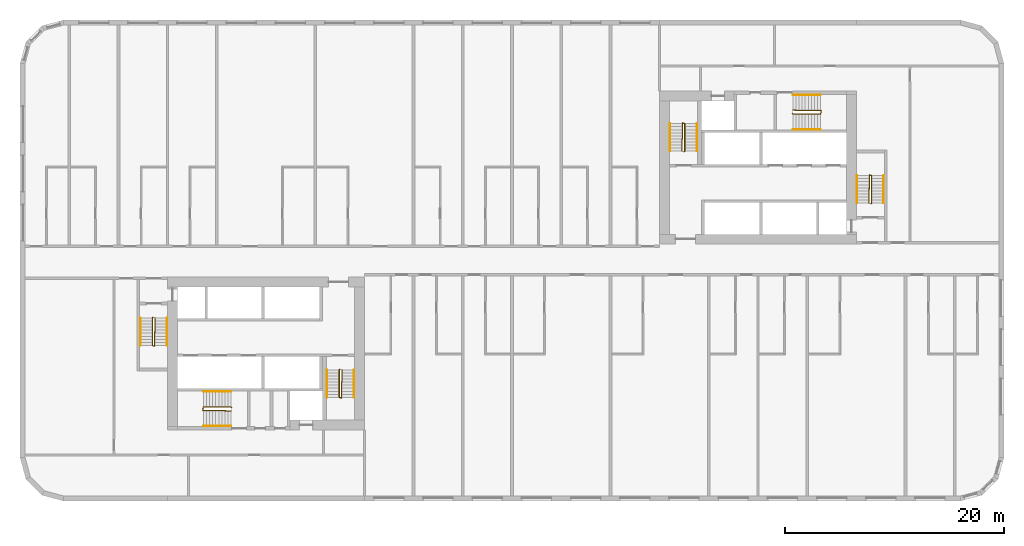
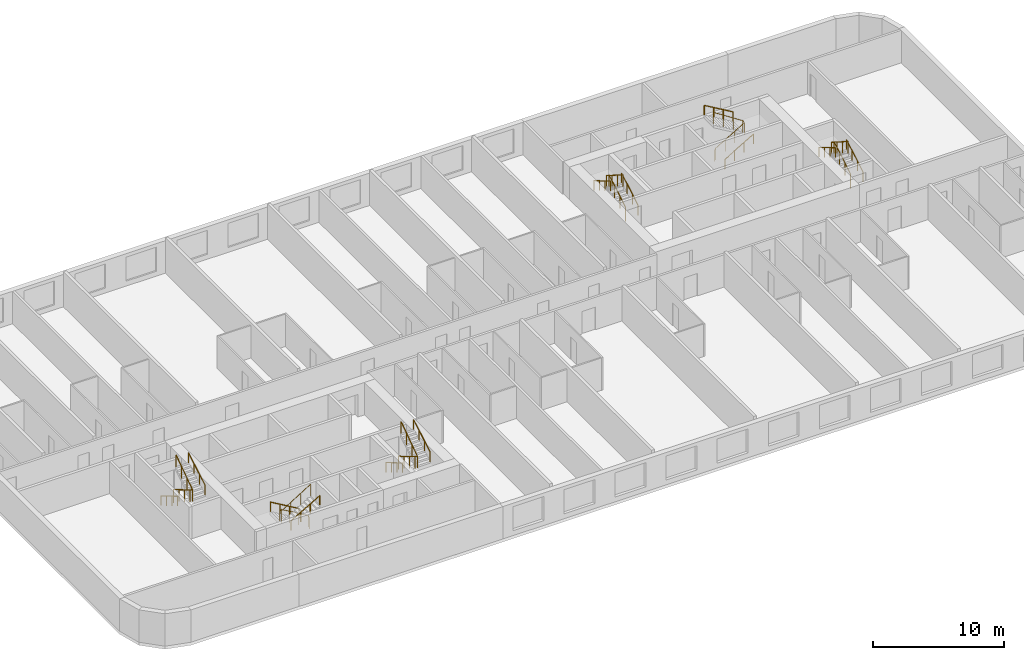
# One storey, part 12 of 12: 18 railings.
"""IFC4 building model written with IfcOpenShell, lengths in metres."""

from ifc_helpers import new_model, si_unit, direction, frame, origin, origin_2d, place, context, subcontext, project, spatial, circle, extrude, material, type_object, element, save


model = new_model("IFC4")

# Units and contexts
model_context = context("Model", 3, precision=1e-05, world=origin(), true_north=direction((0.0, 1.0)))
body_context = subcontext(model_context, "Body", "Model", "MODEL_VIEW")
ifc_project = project(units=[si_unit("LENGTHUNIT", "METRE"), si_unit("AREAUNIT", "SQUARE_METRE"), si_unit("VOLUMEUNIT", "CUBIC_METRE"), si_unit("PLANEANGLEUNIT", "RADIAN"), si_unit("MASSUNIT", "GRAM", prefix="KILO")], contexts=[model_context])

# Site, building, storey
site_placement = place(None, origin())
site = spatial("IfcSite", under=ifc_project, at=site_placement, CompositionType="ELEMENT")
building_placement = place(site_placement, origin())
building = spatial("IfcBuilding", under=site, at=building_placement, Name="Kajstack Hotel Tower", CompositionType="ELEMENT")
storey_placement = place(building_placement, frame((0.0, 0.0, 73.199951171875)))
storey = spatial("IfcBuildingStorey", under=building, at=storey_placement, Name="L13", CompositionType="ELEMENT", Elevation=73.199951171875)

# Railings
ifc_material = material(Name="Steel S355J2", Category="steel")
railing_type_1 = type_object("IfcRailingType", Name="Stair guard 1100", PredefinedType="GUARDRAIL", material=ifc_material)
railing_1_placement = place(storey_placement, frame((-32.85009765625, -5.199951171875, 0.0)))
element("IfcRailing", 1, at=railing_1_placement, inside=storey, type_object=railing_type_1, Name="L13 W1 stair guard 1", PredefinedType="GUARDRAIL", context=body_context, shape_type="SweptSolid", body=[
    extrude(circle(Radius=0.02392578125, at=origin_2d()), frame((0.0, 0.0, 1.076171875), z_axis=(-0.277450376394, -0.278810427259, 0.919394384522), x_axis=(0.708833529934, -0.705375805398, 0.0)), (0.0, 0.0, 1.0), 0.179443359375),
    extrude(circle(Radius=0.02392578125, at=origin_2d()), frame((-0.0498046875, -0.050048828125, 1.2412109375), z_axis=(0.0, -0.86152411907, 0.507716645641), x_axis=(1.0, 0.0, 0.0)), (0.0, 0.0, 1.0), 2.925048828125),
    extrude(circle(Radius=0.02392578125, at=origin_2d()), frame((-0.0498046875, -2.570068359375, 2.72607421875), z_axis=(0.970072785993, -0.242814311512, 0.0), x_axis=(0.242814311512, 0.970072785993, 0.0)), (0.0, 0.0, 1.0), 0.2060546875),
    extrude(circle(Radius=0.02392578125, at=origin_2d()), frame((0.150146484375, -2.6201171875, 2.72607421875), z_axis=(0.016385308676, 0.841405582595, 0.540155687962), x_axis=(-0.999810440751, 0.019470042781, 0.0)), (0.0, 0.0, 1.0), 3.054443359375),
    extrude(circle(Radius=0.02099609375, at=origin_2d()), origin(), (0.0, 0.0, 1.0), 1.052001953125),
    extrude(circle(Radius=0.02099609375, at=origin_2d()), frame((-0.0498046875, -0.050048828125, 0.1650390625)), (0.0, 0.0, 1.0), 1.052001953125),
    extrude(circle(Radius=0.02099609375, at=origin_2d()), frame((-0.0498046875, -0.89013671875, 0.66015625)), (0.0, 0.0, 1.0), 1.052001953125),
    extrude(circle(Radius=0.02099609375, at=origin_2d()), frame((-0.0498046875, -1.72998046875, 1.155029296875)), (0.0, 0.0, 1.0), 1.052001953125),
    extrude(circle(Radius=0.02099609375, at=origin_2d()), frame((-0.0498046875, -2.570068359375, 1.650146484375)), (0.0, 0.0, 1.0), 1.052001953125),
    extrude(circle(Radius=0.02099609375, at=origin_2d()), frame((0.150146484375, -2.6201171875, 1.650146484375)), (0.0, 0.0, 1.0), 1.052001953125),
    extrude(circle(Radius=0.02099609375, at=origin_2d()), frame((0.166748046875, -1.763427734375, 2.2001953125)), (0.0, 0.0, 1.0), 1.052001953125),
    extrude(circle(Radius=0.02099609375, at=origin_2d()), frame((0.18359375, -0.90673828125, 2.75)), (0.0, 0.0, 1.0), 1.052001953125),
    extrude(circle(Radius=0.02099609375, at=origin_2d()), frame((0.2001953125, -0.050048828125, 3.300048828125)), (0.0, 0.0, 1.0), 1.052001953125),
])
railing_2_placement = place(storey_placement, frame((-15.75, -9.949951171875, 0.0)))
element("IfcRailing", 2, at=railing_2_placement, inside=storey, type_object=railing_type_1, Name="L13 W2 stair guard 1", PredefinedType="GUARDRAIL", context=body_context, shape_type="SweptSolid", body=[
    extrude(circle(Radius=0.02392578125, at=origin_2d()), frame((0.0, 0.0, 1.076171875), z_axis=(-0.278705021027, -0.278705021027, 0.919046801044), x_axis=(0.707106781187, -0.707106781187, 0.0)), (0.0, 0.0, 1.0), 0.1796875),
    extrude(circle(Radius=0.02392578125, at=origin_2d()), frame((-0.050048828125, -0.050048828125, 1.2412109375), z_axis=(0.0, -0.86152411907, 0.507716645641), x_axis=(1.0, 0.0, 0.0)), (0.0, 0.0, 1.0), 2.925048828125),
    extrude(circle(Radius=0.02392578125, at=origin_2d()), frame((-0.050048828125, -2.570068359375, 2.72607421875), z_axis=(0.970072785993, -0.242814311512, 0.0), x_axis=(0.242814311512, 0.970072785993, 0.0)), (0.0, 0.0, 1.0), 0.2060546875),
    extrude(circle(Radius=0.02392578125, at=origin_2d()), frame((0.14990234375, -2.6201171875, 2.72607421875), z_axis=(0.016385308676, 0.841405582595, 0.540155687962), x_axis=(-0.999810440751, 0.019470042781, 0.0)), (0.0, 0.0, 1.0), 3.054443359375),
    extrude(circle(Radius=0.02099609375, at=origin_2d()), origin(), (0.0, 0.0, 1.0), 1.052001953125),
    extrude(circle(Radius=0.02099609375, at=origin_2d()), frame((-0.050048828125, -0.050048828125, 0.1650390625)), (0.0, 0.0, 1.0), 1.052001953125),
    extrude(circle(Radius=0.02099609375, at=origin_2d()), frame((-0.050048828125, -0.89013671875, 0.66015625)), (0.0, 0.0, 1.0), 1.052001953125),
    extrude(circle(Radius=0.02099609375, at=origin_2d()), frame((-0.050048828125, -1.72998046875, 1.155029296875)), (0.0, 0.0, 1.0), 1.052001953125),
    extrude(circle(Radius=0.02099609375, at=origin_2d()), frame((-0.050048828125, -2.570068359375, 1.650146484375)), (0.0, 0.0, 1.0), 1.052001953125),
    extrude(circle(Radius=0.02099609375, at=origin_2d()), frame((0.14990234375, -2.6201171875, 1.650146484375)), (0.0, 0.0, 1.0), 1.052001953125),
    extrude(circle(Radius=0.02099609375, at=origin_2d()), frame((0.16650390625, -1.763427734375, 2.2001953125)), (0.0, 0.0, 1.0), 1.052001953125),
    extrude(circle(Radius=0.02099609375, at=origin_2d()), frame((0.183349609375, -0.90673828125, 2.75)), (0.0, 0.0, 1.0), 1.052001953125),
    extrude(circle(Radius=0.02099609375, at=origin_2d()), frame((0.199951171875, -0.050048828125, 3.300048828125)), (0.0, 0.0, 1.0), 1.052001953125),
])
railing_3_placement = place(storey_placement, frame((-25.64990234375, -13.449951171875, 0.0)))
element("IfcRailing", 3, at=railing_3_placement, inside=storey, type_object=railing_type_1, Name="L13 W3 stair guard 1", PredefinedType="GUARDRAIL", context=body_context, shape_type="SweptSolid", body=[
    extrude(circle(Radius=0.02392578125, at=origin_2d()), frame((0.0, 0.0, 1.076171875), z_axis=(-0.278705021027, 0.278705021027, 0.919046801044), x_axis=(-0.707106781187, -0.707106781187, 0.0)), (0.0, 0.0, 1.0), 0.1796875),
    extrude(circle(Radius=0.02392578125, at=origin_2d()), frame((-0.050048828125, 0.050048828125, 1.2412109375), z_axis=(-0.86152411907, 0.0, 0.507716645641), x_axis=(0.0, -1.0, 0.0)), (0.0, 0.0, 1.0), 2.925048828125),
    extrude(circle(Radius=0.02392578125, at=origin_2d()), frame((-2.570068359375, 0.050048828125, 2.72607421875), z_axis=(-0.164529134168, -0.986372223864, 0.0), x_axis=(0.986372223864, -0.164529134168, 0.0)), (0.0, 0.0, 1.0), 0.30419921875),
    extrude(circle(Radius=0.02392578125, at=origin_2d()), frame((-2.6201171875, -0.25, 2.72607421875), z_axis=(0.841405582595, -0.016385308676, 0.540155687962), x_axis=(0.019470042781, 0.999810440751, 0.0)), (0.0, 0.0, 1.0), 3.054443359375),
    extrude(circle(Radius=0.02099609375, at=origin_2d()), origin(), (0.0, 0.0, 1.0), 1.052001953125),
    extrude(circle(Radius=0.02099609375, at=origin_2d()), frame((-0.050048828125, 0.050048828125, 0.1650390625)), (0.0, 0.0, 1.0), 1.052001953125),
    extrude(circle(Radius=0.02099609375, at=origin_2d()), frame((-0.89013671875, 0.050048828125, 0.66015625)), (0.0, 0.0, 1.0), 1.052001953125),
    extrude(circle(Radius=0.02099609375, at=origin_2d()), frame((-1.72998046875, 0.050048828125, 1.155029296875)), (0.0, 0.0, 1.0), 1.052001953125),
    extrude(circle(Radius=0.02099609375, at=origin_2d()), frame((-2.570068359375, 0.050048828125, 1.650146484375)), (0.0, 0.0, 1.0), 1.052001953125),
    extrude(circle(Radius=0.02099609375, at=origin_2d()), frame((-2.6201171875, -0.25, 1.650146484375)), (0.0, 0.0, 1.0), 1.052001953125),
    extrude(circle(Radius=0.02099609375, at=origin_2d()), frame((-1.763427734375, -0.2666015625, 2.2001953125)), (0.0, 0.0, 1.0), 1.052001953125),
    extrude(circle(Radius=0.02099609375, at=origin_2d()), frame((-0.90673828125, -0.283447265625, 2.75)), (0.0, 0.0, 1.0), 1.052001953125),
    extrude(circle(Radius=0.02099609375, at=origin_2d()), frame((-0.050048828125, -0.300048828125, 3.300048828125)), (0.0, 0.0, 1.0), 1.052001953125),
])
railing_4_placement = place(storey_placement, frame((32.85009765625, 5.199951171875, 0.0)))
element("IfcRailing", 4, at=railing_4_placement, inside=storey, type_object=railing_type_1, Name="L13 E1 stair guard 1", PredefinedType="GUARDRAIL", context=body_context, shape_type="SweptSolid", body=[
    extrude(circle(Radius=0.02392578125, at=origin_2d()), frame((0.0, 0.0, 1.076171875), z_axis=(0.277450376394, 0.278810427259, 0.919394384522), x_axis=(-0.708833529934, 0.705375805398, 0.0)), (0.0, 0.0, 1.0), 0.179443359375),
    extrude(circle(Radius=0.02392578125, at=origin_2d()), frame((0.0498046875, 0.050048828125, 1.2412109375), z_axis=(0.0, 0.86152411907, 0.507716645641), x_axis=(-1.0, 0.0, 0.0)), (0.0, 0.0, 1.0), 2.925048828125),
    extrude(circle(Radius=0.02392578125, at=origin_2d()), frame((0.0498046875, 2.570068359375, 2.72607421875), z_axis=(-0.970072785993, 0.242814311512, 0.0), x_axis=(-0.242814311512, -0.970072785993, 0.0)), (0.0, 0.0, 1.0), 0.2060546875),
    extrude(circle(Radius=0.02392578125, at=origin_2d()), frame((-0.150146484375, 2.6201171875, 2.72607421875), z_axis=(-0.016385308676, -0.841405582595, 0.540155687962), x_axis=(0.999810440751, -0.019470042781, 0.0)), (0.0, 0.0, 1.0), 3.054443359375),
    extrude(circle(Radius=0.02099609375, at=origin_2d()), origin(), (0.0, 0.0, 1.0), 1.052001953125),
    extrude(circle(Radius=0.02099609375, at=origin_2d()), frame((0.0498046875, 0.050048828125, 0.1650390625)), (0.0, 0.0, 1.0), 1.052001953125),
    extrude(circle(Radius=0.02099609375, at=origin_2d()), frame((0.0498046875, 0.89013671875, 0.66015625)), (0.0, 0.0, 1.0), 1.052001953125),
    extrude(circle(Radius=0.02099609375, at=origin_2d()), frame((0.0498046875, 1.72998046875, 1.155029296875)), (0.0, 0.0, 1.0), 1.052001953125),
    extrude(circle(Radius=0.02099609375, at=origin_2d()), frame((0.0498046875, 2.570068359375, 1.650146484375)), (0.0, 0.0, 1.0), 1.052001953125),
    extrude(circle(Radius=0.02099609375, at=origin_2d()), frame((-0.150146484375, 2.6201171875, 1.650146484375)), (0.0, 0.0, 1.0), 1.052001953125),
    extrude(circle(Radius=0.02099609375, at=origin_2d()), frame((-0.166748046875, 1.763427734375, 2.2001953125)), (0.0, 0.0, 1.0), 1.052001953125),
    extrude(circle(Radius=0.02099609375, at=origin_2d()), frame((-0.18359375, 0.90673828125, 2.75)), (0.0, 0.0, 1.0), 1.052001953125),
    extrude(circle(Radius=0.02099609375, at=origin_2d()), frame((-0.2001953125, 0.050048828125, 3.300048828125)), (0.0, 0.0, 1.0), 1.052001953125),
])
railing_5_placement = place(storey_placement, frame((15.75, 9.949951171875, 0.0)))
element("IfcRailing", 5, at=railing_5_placement, inside=storey, type_object=railing_type_1, Name="L13 E2 stair guard 1", PredefinedType="GUARDRAIL", context=body_context, shape_type="SweptSolid", body=[
    extrude(circle(Radius=0.02392578125, at=origin_2d()), frame((0.0, 0.0, 1.076171875), z_axis=(0.278705021027, 0.278705021027, 0.919046801044), x_axis=(-0.707106781187, 0.707106781187, 0.0)), (0.0, 0.0, 1.0), 0.1796875),
    extrude(circle(Radius=0.02392578125, at=origin_2d()), frame((0.050048828125, 0.050048828125, 1.2412109375), z_axis=(0.0, 0.86152411907, 0.507716645641), x_axis=(-1.0, 0.0, 0.0)), (0.0, 0.0, 1.0), 2.925048828125),
    extrude(circle(Radius=0.02392578125, at=origin_2d()), frame((0.050048828125, 2.570068359375, 2.72607421875), z_axis=(-0.970072785993, 0.242814311512, 0.0), x_axis=(-0.242814311512, -0.970072785993, 0.0)), (0.0, 0.0, 1.0), 0.2060546875),
    extrude(circle(Radius=0.02392578125, at=origin_2d()), frame((-0.14990234375, 2.6201171875, 2.72607421875), z_axis=(-0.016385308676, -0.841405582595, 0.540155687962), x_axis=(0.999810440751, -0.019470042781, 0.0)), (0.0, 0.0, 1.0), 3.054443359375),
    extrude(circle(Radius=0.02099609375, at=origin_2d()), origin(), (0.0, 0.0, 1.0), 1.052001953125),
    extrude(circle(Radius=0.02099609375, at=origin_2d()), frame((0.050048828125, 0.050048828125, 0.1650390625)), (0.0, 0.0, 1.0), 1.052001953125),
    extrude(circle(Radius=0.02099609375, at=origin_2d()), frame((0.050048828125, 0.89013671875, 0.66015625)), (0.0, 0.0, 1.0), 1.052001953125),
    extrude(circle(Radius=0.02099609375, at=origin_2d()), frame((0.050048828125, 1.72998046875, 1.155029296875)), (0.0, 0.0, 1.0), 1.052001953125),
    extrude(circle(Radius=0.02099609375, at=origin_2d()), frame((0.050048828125, 2.570068359375, 1.650146484375)), (0.0, 0.0, 1.0), 1.052001953125),
    extrude(circle(Radius=0.02099609375, at=origin_2d()), frame((-0.14990234375, 2.6201171875, 1.650146484375)), (0.0, 0.0, 1.0), 1.052001953125),
    extrude(circle(Radius=0.02099609375, at=origin_2d()), frame((-0.16650390625, 1.763427734375, 2.2001953125)), (0.0, 0.0, 1.0), 1.052001953125),
    extrude(circle(Radius=0.02099609375, at=origin_2d()), frame((-0.183349609375, 0.90673828125, 2.75)), (0.0, 0.0, 1.0), 1.052001953125),
    extrude(circle(Radius=0.02099609375, at=origin_2d()), frame((-0.199951171875, 0.050048828125, 3.300048828125)), (0.0, 0.0, 1.0), 1.052001953125),
])
railing_6_placement = place(storey_placement, frame((25.64990234375, 13.449951171875, 0.0)))
element("IfcRailing", 6, at=railing_6_placement, inside=storey, type_object=railing_type_1, Name="L13 E3 stair guard 1", PredefinedType="GUARDRAIL", context=body_context, shape_type="SweptSolid", body=[
    extrude(circle(Radius=0.02392578125, at=origin_2d()), frame((0.0, 0.0, 1.076171875), z_axis=(0.278705021027, -0.278705021027, 0.919046801044), x_axis=(0.707106781187, 0.707106781187, 0.0)), (0.0, 0.0, 1.0), 0.1796875),
    extrude(circle(Radius=0.02392578125, at=origin_2d()), frame((0.050048828125, -0.050048828125, 1.2412109375), z_axis=(0.86152411907, 0.0, 0.507716645641), x_axis=(0.0, 1.0, 0.0)), (0.0, 0.0, 1.0), 2.925048828125),
    extrude(circle(Radius=0.02392578125, at=origin_2d()), frame((2.570068359375, -0.050048828125, 2.72607421875), z_axis=(0.164529134168, 0.986372223864, 0.0), x_axis=(-0.986372223864, 0.164529134168, 0.0)), (0.0, 0.0, 1.0), 0.30419921875),
    extrude(circle(Radius=0.02392578125, at=origin_2d()), frame((2.6201171875, 0.25, 2.72607421875), z_axis=(-0.841405582595, 0.016385308676, 0.540155687962), x_axis=(-0.019470042781, -0.999810440751, 0.0)), (0.0, 0.0, 1.0), 3.054443359375),
    extrude(circle(Radius=0.02099609375, at=origin_2d()), origin(), (0.0, 0.0, 1.0), 1.052001953125),
    extrude(circle(Radius=0.02099609375, at=origin_2d()), frame((0.050048828125, -0.050048828125, 0.1650390625)), (0.0, 0.0, 1.0), 1.052001953125),
    extrude(circle(Radius=0.02099609375, at=origin_2d()), frame((0.89013671875, -0.050048828125, 0.66015625)), (0.0, 0.0, 1.0), 1.052001953125),
    extrude(circle(Radius=0.02099609375, at=origin_2d()), frame((1.72998046875, -0.050048828125, 1.155029296875)), (0.0, 0.0, 1.0), 1.052001953125),
    extrude(circle(Radius=0.02099609375, at=origin_2d()), frame((2.570068359375, -0.050048828125, 1.650146484375)), (0.0, 0.0, 1.0), 1.052001953125),
    extrude(circle(Radius=0.02099609375, at=origin_2d()), frame((2.6201171875, 0.25, 1.650146484375)), (0.0, 0.0, 1.0), 1.052001953125),
    extrude(circle(Radius=0.02099609375, at=origin_2d()), frame((1.763427734375, 0.2666015625, 2.2001953125)), (0.0, 0.0, 1.0), 1.052001953125),
    extrude(circle(Radius=0.02099609375, at=origin_2d()), frame((0.90673828125, 0.283447265625, 2.75)), (0.0, 0.0, 1.0), 1.052001953125),
    extrude(circle(Radius=0.02099609375, at=origin_2d()), frame((0.050048828125, 0.300048828125, 3.300048828125)), (0.0, 0.0, 1.0), 1.052001953125),
])
railing_type_2 = type_object("IfcRailingType", Name="Stair handrail 900", PredefinedType="HANDRAIL", material=ifc_material)
railing_7_placement = place(storey_placement, frame((-34.0, -5.25, 0.1650390625)))
element("IfcRailing", 7, at=railing_7_placement, inside=storey, type_object=railing_type_2, Name="L13 W1 stair handrail 1", PredefinedType="HANDRAIL", context=body_context, shape_type="SweptSolid", body=[
    extrude(circle(Radius=0.02392578125, at=origin_2d()), frame((0.0, 0.0, 0.8759765625), z_axis=(0.0, -0.86152411907, 0.507716645641), x_axis=(1.0, 0.0, 0.0)), (0.0, 0.0, 1.0), 2.925048828125),
    extrude(circle(Radius=0.02099609375, at=origin_2d()), origin(), (0.0, 0.0, 1.0), 0.851806640625),
    extrude(circle(Radius=0.02099609375, at=origin_2d()), frame((0.0, -0.840087890625, 0.4951171875)), (0.0, 0.0, 1.0), 0.851806640625),
    extrude(circle(Radius=0.02099609375, at=origin_2d()), frame((0.0, -1.679931640625, 0.989990234375)), (0.0, 0.0, 1.0), 0.851806640625),
    extrude(circle(Radius=0.02099609375, at=origin_2d()), frame((0.0, -2.52001953125, 1.485107421875)), (0.0, 0.0, 1.0), 0.851806640625),
])
railing_8_placement = place(storey_placement, frame((-31.550048828125, -7.77001953125, 1.81494140625)))
element("IfcRailing", 8, at=railing_8_placement, inside=storey, type_object=railing_type_2, Name="L13 W1 stair handrail 2", PredefinedType="HANDRAIL", context=body_context, shape_type="SweptSolid", body=[
    extrude(circle(Radius=0.02392578125, at=origin_2d()), frame((0.0, 0.0, 0.8759765625), z_axis=(0.0, 0.86152411907, 0.507716645641), x_axis=(-1.0, 0.0, 0.0)), (0.0, 0.0, 1.0), 2.925048828125),
    extrude(circle(Radius=0.02099609375, at=origin_2d()), origin(), (0.0, 0.0, 1.0), 0.851806640625),
    extrude(circle(Radius=0.02099609375, at=origin_2d()), frame((0.0, 0.840087890625, 0.4951171875)), (0.0, 0.0, 1.0), 0.851806640625),
    extrude(circle(Radius=0.02099609375, at=origin_2d()), frame((0.0, 1.679931640625, 0.989990234375)), (0.0, 0.0, 1.0), 0.851806640625),
    extrude(circle(Radius=0.02099609375, at=origin_2d()), frame((0.0, 2.52001953125, 1.485107421875)), (0.0, 0.0, 1.0), 0.851806640625),
])
railing_9_placement = place(storey_placement, frame((-16.89990234375, -10.0, 0.1650390625)))
element("IfcRailing", 9, at=railing_9_placement, inside=storey, type_object=railing_type_2, Name="L13 W2 stair handrail 1", PredefinedType="HANDRAIL", context=body_context, shape_type="SweptSolid", body=[
    extrude(circle(Radius=0.02392578125, at=origin_2d()), frame((0.0, 0.0, 0.8759765625), z_axis=(0.0, -0.86152411907, 0.507716645641), x_axis=(1.0, 0.0, 0.0)), (0.0, 0.0, 1.0), 2.925048828125),
    extrude(circle(Radius=0.02099609375, at=origin_2d()), origin(), (0.0, 0.0, 1.0), 0.851806640625),
    extrude(circle(Radius=0.02099609375, at=origin_2d()), frame((0.0, -0.840087890625, 0.4951171875)), (0.0, 0.0, 1.0), 0.851806640625),
    extrude(circle(Radius=0.02099609375, at=origin_2d()), frame((0.0, -1.679931640625, 0.989990234375)), (0.0, 0.0, 1.0), 0.851806640625),
    extrude(circle(Radius=0.02099609375, at=origin_2d()), frame((0.0, -2.52001953125, 1.485107421875)), (0.0, 0.0, 1.0), 0.851806640625),
])
railing_10_placement = place(storey_placement, frame((-14.449951171875, -12.52001953125, 1.81494140625)))
element("IfcRailing", 10, at=railing_10_placement, inside=storey, type_object=railing_type_2, Name="L13 W2 stair handrail 2", PredefinedType="HANDRAIL", context=body_context, shape_type="SweptSolid", body=[
    extrude(circle(Radius=0.02392578125, at=origin_2d()), frame((0.0, 0.0, 0.8759765625), z_axis=(0.0, 0.86152411907, 0.507716645641), x_axis=(-1.0, 0.0, 0.0)), (0.0, 0.0, 1.0), 2.925048828125),
    extrude(circle(Radius=0.02099609375, at=origin_2d()), origin(), (0.0, 0.0, 1.0), 0.851806640625),
    extrude(circle(Radius=0.02099609375, at=origin_2d()), frame((0.0, 0.840087890625, 0.4951171875)), (0.0, 0.0, 1.0), 0.851806640625),
    extrude(circle(Radius=0.02099609375, at=origin_2d()), frame((0.0, 1.679931640625, 0.989990234375)), (0.0, 0.0, 1.0), 0.851806640625),
    extrude(circle(Radius=0.02099609375, at=origin_2d()), frame((0.0, 2.52001953125, 1.485107421875)), (0.0, 0.0, 1.0), 0.851806640625),
])
railing_11_placement = place(storey_placement, frame((-25.699951171875, -12.0, 0.1650390625)))
element("IfcRailing", 11, at=railing_11_placement, inside=storey, type_object=railing_type_2, Name="L13 W3 stair handrail 1", PredefinedType="HANDRAIL", context=body_context, shape_type="SweptSolid", body=[
    extrude(circle(Radius=0.02392578125, at=origin_2d()), frame((0.0, 0.0, 0.8759765625), z_axis=(-0.86152411907, 0.0, 0.507716645641), x_axis=(0.0, -1.0, 0.0)), (0.0, 0.0, 1.0), 2.925048828125),
    extrude(circle(Radius=0.02099609375, at=origin_2d()), origin(), (0.0, 0.0, 1.0), 0.851806640625),
    extrude(circle(Radius=0.02099609375, at=origin_2d()), frame((-0.840087890625, 0.0, 0.4951171875)), (0.0, 0.0, 1.0), 0.851806640625),
    extrude(circle(Radius=0.02099609375, at=origin_2d()), frame((-1.679931640625, 0.0, 0.989990234375)), (0.0, 0.0, 1.0), 0.851806640625),
    extrude(circle(Radius=0.02099609375, at=origin_2d()), frame((-2.52001953125, 0.0, 1.485107421875)), (0.0, 0.0, 1.0), 0.851806640625),
])
railing_12_placement = place(storey_placement, frame((-28.219970703125, -15.14990234375, 1.81494140625)))
element("IfcRailing", 12, at=railing_12_placement, inside=storey, type_object=railing_type_2, Name="L13 W3 stair handrail 2", PredefinedType="HANDRAIL", context=body_context, shape_type="SweptSolid", body=[
    extrude(circle(Radius=0.02392578125, at=origin_2d()), frame((0.0, 0.0, 0.8759765625), z_axis=(0.86152411907, 0.0, 0.507716645641), x_axis=(0.0, 1.0, 0.0)), (0.0, 0.0, 1.0), 2.925048828125),
    extrude(circle(Radius=0.02099609375, at=origin_2d()), origin(), (0.0, 0.0, 1.0), 0.851806640625),
    extrude(circle(Radius=0.02099609375, at=origin_2d()), frame((0.840087890625, 0.0, 0.4951171875)), (0.0, 0.0, 1.0), 0.851806640625),
    extrude(circle(Radius=0.02099609375, at=origin_2d()), frame((1.679931640625, 0.0, 0.989990234375)), (0.0, 0.0, 1.0), 0.851806640625),
    extrude(circle(Radius=0.02099609375, at=origin_2d()), frame((2.52001953125, 0.0, 1.485107421875)), (0.0, 0.0, 1.0), 0.851806640625),
])
railing_13_placement = place(storey_placement, frame((34.0, 5.25, 0.1650390625)))
element("IfcRailing", 13, at=railing_13_placement, inside=storey, type_object=railing_type_2, Name="L13 E1 stair handrail 1", PredefinedType="HANDRAIL", context=body_context, shape_type="SweptSolid", body=[
    extrude(circle(Radius=0.02392578125, at=origin_2d()), frame((0.0, 0.0, 0.8759765625), z_axis=(0.0, 0.86152411907, 0.507716645641), x_axis=(-1.0, 0.0, 0.0)), (0.0, 0.0, 1.0), 2.925048828125),
    extrude(circle(Radius=0.02099609375, at=origin_2d()), origin(), (0.0, 0.0, 1.0), 0.851806640625),
    extrude(circle(Radius=0.02099609375, at=origin_2d()), frame((0.0, 0.840087890625, 0.4951171875)), (0.0, 0.0, 1.0), 0.851806640625),
    extrude(circle(Radius=0.02099609375, at=origin_2d()), frame((0.0, 1.679931640625, 0.989990234375)), (0.0, 0.0, 1.0), 0.851806640625),
    extrude(circle(Radius=0.02099609375, at=origin_2d()), frame((0.0, 2.52001953125, 1.485107421875)), (0.0, 0.0, 1.0), 0.851806640625),
])
railing_14_placement = place(storey_placement, frame((31.550048828125, 7.77001953125, 1.81494140625)))
element("IfcRailing", 14, at=railing_14_placement, inside=storey, type_object=railing_type_2, Name="L13 E1 stair handrail 2", PredefinedType="HANDRAIL", context=body_context, shape_type="SweptSolid", body=[
    extrude(circle(Radius=0.02392578125, at=origin_2d()), frame((0.0, 0.0, 0.8759765625), z_axis=(0.0, -0.86152411907, 0.507716645641), x_axis=(1.0, 0.0, 0.0)), (0.0, 0.0, 1.0), 2.925048828125),
    extrude(circle(Radius=0.02099609375, at=origin_2d()), origin(), (0.0, 0.0, 1.0), 0.851806640625),
    extrude(circle(Radius=0.02099609375, at=origin_2d()), frame((0.0, -0.840087890625, 0.4951171875)), (0.0, 0.0, 1.0), 0.851806640625),
    extrude(circle(Radius=0.02099609375, at=origin_2d()), frame((0.0, -1.679931640625, 0.989990234375)), (0.0, 0.0, 1.0), 0.851806640625),
    extrude(circle(Radius=0.02099609375, at=origin_2d()), frame((0.0, -2.52001953125, 1.485107421875)), (0.0, 0.0, 1.0), 0.851806640625),
])
railing_15_placement = place(storey_placement, frame((16.89990234375, 10.0, 0.1650390625)))
element("IfcRailing", 15, at=railing_15_placement, inside=storey, type_object=railing_type_2, Name="L13 E2 stair handrail 1", PredefinedType="HANDRAIL", context=body_context, shape_type="SweptSolid", body=[
    extrude(circle(Radius=0.02392578125, at=origin_2d()), frame((0.0, 0.0, 0.8759765625), z_axis=(0.0, 0.86152411907, 0.507716645641), x_axis=(-1.0, 0.0, 0.0)), (0.0, 0.0, 1.0), 2.925048828125),
    extrude(circle(Radius=0.02099609375, at=origin_2d()), origin(), (0.0, 0.0, 1.0), 0.851806640625),
    extrude(circle(Radius=0.02099609375, at=origin_2d()), frame((0.0, 0.840087890625, 0.4951171875)), (0.0, 0.0, 1.0), 0.851806640625),
    extrude(circle(Radius=0.02099609375, at=origin_2d()), frame((0.0, 1.679931640625, 0.989990234375)), (0.0, 0.0, 1.0), 0.851806640625),
    extrude(circle(Radius=0.02099609375, at=origin_2d()), frame((0.0, 2.52001953125, 1.485107421875)), (0.0, 0.0, 1.0), 0.851806640625),
])
railing_16_placement = place(storey_placement, frame((14.449951171875, 12.52001953125, 1.81494140625)))
element("IfcRailing", 16, at=railing_16_placement, inside=storey, type_object=railing_type_2, Name="L13 E2 stair handrail 2", PredefinedType="HANDRAIL", context=body_context, shape_type="SweptSolid", body=[
    extrude(circle(Radius=0.02392578125, at=origin_2d()), frame((0.0, 0.0, 0.8759765625), z_axis=(0.0, -0.86152411907, 0.507716645641), x_axis=(1.0, 0.0, 0.0)), (0.0, 0.0, 1.0), 2.925048828125),
    extrude(circle(Radius=0.02099609375, at=origin_2d()), origin(), (0.0, 0.0, 1.0), 0.851806640625),
    extrude(circle(Radius=0.02099609375, at=origin_2d()), frame((0.0, -0.840087890625, 0.4951171875)), (0.0, 0.0, 1.0), 0.851806640625),
    extrude(circle(Radius=0.02099609375, at=origin_2d()), frame((0.0, -1.679931640625, 0.989990234375)), (0.0, 0.0, 1.0), 0.851806640625),
    extrude(circle(Radius=0.02099609375, at=origin_2d()), frame((0.0, -2.52001953125, 1.485107421875)), (0.0, 0.0, 1.0), 0.851806640625),
])
railing_17_placement = place(storey_placement, frame((25.699951171875, 12.0, 0.1650390625)))
element("IfcRailing", 17, at=railing_17_placement, inside=storey, type_object=railing_type_2, Name="L13 E3 stair handrail 1", PredefinedType="HANDRAIL", context=body_context, shape_type="SweptSolid", body=[
    extrude(circle(Radius=0.02392578125, at=origin_2d()), frame((0.0, 0.0, 0.8759765625), z_axis=(0.86152411907, 0.0, 0.507716645641), x_axis=(0.0, 1.0, 0.0)), (0.0, 0.0, 1.0), 2.925048828125),
    extrude(circle(Radius=0.02099609375, at=origin_2d()), origin(), (0.0, 0.0, 1.0), 0.851806640625),
    extrude(circle(Radius=0.02099609375, at=origin_2d()), frame((0.840087890625, 0.0, 0.4951171875)), (0.0, 0.0, 1.0), 0.851806640625),
    extrude(circle(Radius=0.02099609375, at=origin_2d()), frame((1.679931640625, 0.0, 0.989990234375)), (0.0, 0.0, 1.0), 0.851806640625),
    extrude(circle(Radius=0.02099609375, at=origin_2d()), frame((2.52001953125, 0.0, 1.485107421875)), (0.0, 0.0, 1.0), 0.851806640625),
])
railing_18_placement = place(storey_placement, frame((28.219970703125, 15.14990234375, 1.81494140625)))
element("IfcRailing", 18, at=railing_18_placement, inside=storey, type_object=railing_type_2, Name="L13 E3 stair handrail 2", PredefinedType="HANDRAIL", context=body_context, shape_type="SweptSolid", body=[
    extrude(circle(Radius=0.02392578125, at=origin_2d()), frame((0.0, 0.0, 0.8759765625), z_axis=(-0.86152411907, 0.0, 0.507716645641), x_axis=(0.0, -1.0, 0.0)), (0.0, 0.0, 1.0), 2.925048828125),
    extrude(circle(Radius=0.02099609375, at=origin_2d()), origin(), (0.0, 0.0, 1.0), 0.851806640625),
    extrude(circle(Radius=0.02099609375, at=origin_2d()), frame((-0.840087890625, 0.0, 0.4951171875)), (0.0, 0.0, 1.0), 0.851806640625),
    extrude(circle(Radius=0.02099609375, at=origin_2d()), frame((-1.679931640625, 0.0, 0.989990234375)), (0.0, 0.0, 1.0), 0.851806640625),
    extrude(circle(Radius=0.02099609375, at=origin_2d()), frame((-2.52001953125, 0.0, 1.485107421875)), (0.0, 0.0, 1.0), 0.851806640625),
])

save(model, "model.ifc")
